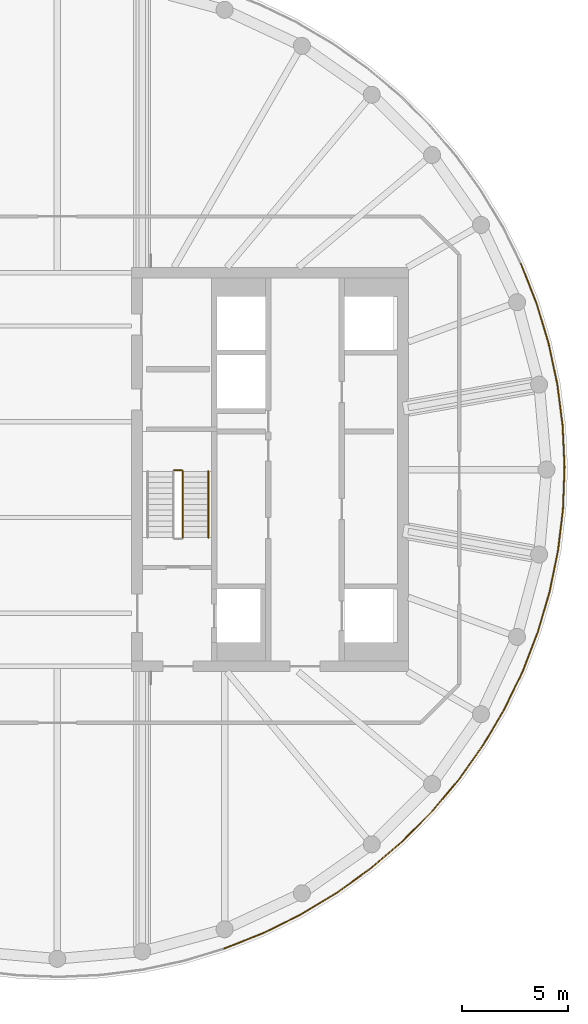
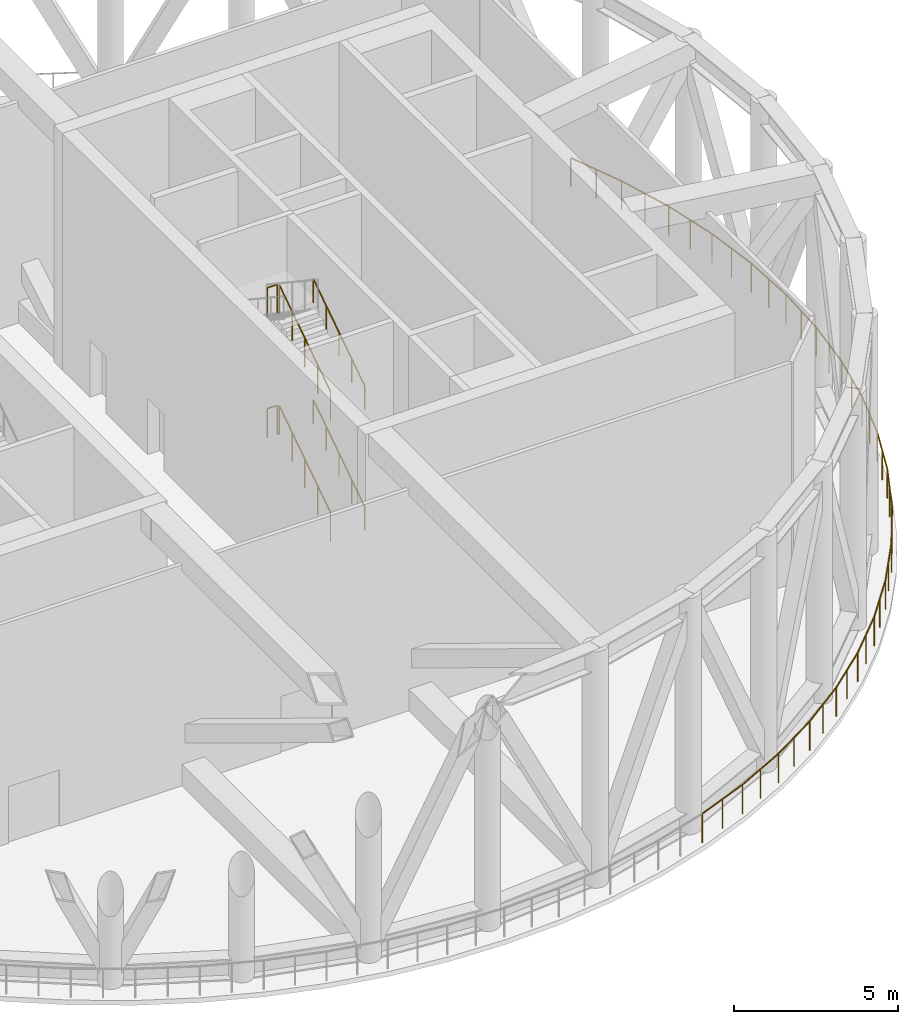
# One storey, part 8 of 10: 11 railings.
"""IFC4 building model written with IfcOpenShell, lengths in metres."""

from ifc_helpers import new_model, si_unit, direction, frame, origin, origin_2d, place, context, subcontext, project, spatial, circle, extrude, material, type_object, element, save


model = new_model("IFC4")

# Units and contexts
model_context = context("Model", 3, precision=1e-05, world=origin(), true_north=direction((0.0, 1.0)))
body_context = subcontext(model_context, "Body", "Model", "MODEL_VIEW")
ifc_project = project(units=[si_unit("LENGTHUNIT", "METRE"), si_unit("AREAUNIT", "SQUARE_METRE"), si_unit("VOLUMEUNIT", "CUBIC_METRE"), si_unit("PLANEANGLEUNIT", "RADIAN"), si_unit("MASSUNIT", "GRAM", prefix="KILO")], contexts=[model_context])

# Site, building, storey
site_placement = place(None, origin())
site = spatial("IfcSite", under=ifc_project, at=site_placement, CompositionType="ELEMENT")
building_placement = place(site_placement, origin())
building = spatial("IfcBuilding", under=site, at=building_placement, Name="Tamarind Cross Interchange Tower", CompositionType="ELEMENT")
storey_placement = place(building_placement, frame((0.0, 0.0, 278.39990234375)))
storey = spatial("IfcBuildingStorey", under=building, at=storey_placement, Name="L71", CompositionType="ELEMENT", Elevation=278.39990234375)

# Railings
ifc_material_1 = material(Name="Stainless steel and laminated glass", Category="steel")
railing_type_1 = type_object("IfcRailingType", Name="Balcony guard", PredefinedType="BALUSTRADE", material=ifc_material_1)
railing_1_placement = place(storey_placement, frame((7.839599609375, -22.520263671875, 0.0)))
element("IfcRailing", 1, at=railing_1_placement, inside=storey, type_object=railing_type_1, Name="Portal guard 01-09", PredefinedType="BALUSTRADE", context=body_context, shape_type="SweptSolid", body=[
    extrude(circle(Radius=0.02490234375, at=origin_2d()), frame((0.0, 0.0, 1.0751953125), z_axis=(0.930014881415, 0.367521863766, 0.0), x_axis=(-0.367521863766, 0.930014881415, 0.0)), (0.0, 0.0, 1.0), 1.970947265625),
    extrude(circle(Radius=0.02490234375, at=origin_2d()), frame((1.8330078125, 0.724365234375, 1.0751953125), z_axis=(0.896523242401, 0.442996699575, 0.0), x_axis=(-0.442996699575, 0.896523242401, 0.0)), (0.0, 0.0, 1.0), 1.970703125),
    extrude(circle(Radius=0.02490234375, at=origin_2d()), frame((3.599853515625, 1.597412109375, 1.0751953125), z_axis=(0.85679264522, 0.515661093256, 0.0), x_axis=(-0.515661093256, 0.85679264522, 0.0)), (0.0, 0.0, 1.0), 1.970947265625),
    extrude(circle(Radius=0.02490234375, at=origin_2d()), frame((5.28857421875, 2.61376953125, 1.0751953125), z_axis=(0.811358091189, 0.584549440049, 0.0), x_axis=(-0.584549440049, 0.811358091189, 0.0)), (0.0, 0.0, 1.0), 1.970947265625),
    extrude(circle(Radius=0.02001953125, at=origin_2d()), origin(), (0.0, 0.0, 1.0), 1.050048828125),
    extrude(circle(Radius=0.02001953125, at=origin_2d()), frame((0.91650390625, 0.3623046875, 0.0)), (0.0, 0.0, 1.0), 1.050048828125),
    extrude(circle(Radius=0.02001953125, at=origin_2d()), frame((1.8330078125, 0.724365234375, 0.0)), (0.0, 0.0, 1.0), 1.050048828125),
    extrude(circle(Radius=0.02001953125, at=origin_2d()), frame((2.71630859375, 1.160888671875, 0.0)), (0.0, 0.0, 1.0), 1.050048828125),
    extrude(circle(Radius=0.02001953125, at=origin_2d()), frame((3.599853515625, 1.597412109375, 0.0)), (0.0, 0.0, 1.0), 1.050048828125),
    extrude(circle(Radius=0.02001953125, at=origin_2d()), frame((4.4443359375, 2.10546875, 0.0)), (0.0, 0.0, 1.0), 1.050048828125),
    extrude(circle(Radius=0.02001953125, at=origin_2d()), frame((5.28857421875, 2.61376953125, 0.0)), (0.0, 0.0, 1.0), 1.050048828125),
    extrude(circle(Radius=0.02001953125, at=origin_2d()), frame((6.088134765625, 3.18994140625, 0.0)), (0.0, 0.0, 1.0), 1.050048828125),
    extrude(circle(Radius=0.02001953125, at=origin_2d()), frame((6.8876953125, 3.765869140625, 0.0)), (0.0, 0.0, 1.0), 1.050048828125),
])
railing_2_placement = place(storey_placement, frame((14.727294921875, -18.75439453125, 0.0)))
element("IfcRailing", 2, at=railing_2_placement, inside=storey, type_object=railing_type_1, Name="Portal guard 01-10", PredefinedType="BALUSTRADE", context=body_context, shape_type="SweptSolid", body=[
    extrude(circle(Radius=0.02490234375, at=origin_2d()), frame((0.0, 0.0, 1.0751953125), z_axis=(0.760313766228, 0.649555984411, 0.0), x_axis=(-0.649555984411, 0.760313766228, 0.0)), (0.0, 0.0, 1.0), 1.970703125),
    extrude(circle(Radius=0.02490234375, at=origin_2d()), frame((1.498291015625, 1.280029296875, 1.0751953125), z_axis=(0.704065503743, 0.710135033947, 0.0), x_axis=(-0.710135033947, 0.704065503743, 0.0)), (0.0, 0.0, 1.0), 1.970947265625),
    extrude(circle(Radius=0.02490234375, at=origin_2d()), frame((2.885986328125, 2.6796875, 1.0751953125), z_axis=(0.642994528242, 0.765870770203, 0.0), x_axis=(-0.765870770203, 0.642994528242, 0.0)), (0.0, 0.0, 1.0), 1.970947265625),
    extrude(circle(Radius=0.02490234375, at=origin_2d()), frame((4.1533203125, 4.189208984375, 1.0751953125), z_axis=(0.577529164002, 0.816370053791, 0.0), x_axis=(-0.816370053791, 0.577529164002, 0.0)), (0.0, 0.0, 1.0), 1.970703125),
    extrude(circle(Radius=0.02001953125, at=origin_2d()), origin(), (0.0, 0.0, 1.0), 1.050048828125),
    extrude(circle(Radius=0.02001953125, at=origin_2d()), frame((0.7490234375, 0.64013671875, 0.0)), (0.0, 0.0, 1.0), 1.050048828125),
    extrude(circle(Radius=0.02001953125, at=origin_2d()), frame((1.498291015625, 1.280029296875, 0.0)), (0.0, 0.0, 1.0), 1.050048828125),
    extrude(circle(Radius=0.02001953125, at=origin_2d()), frame((2.192138671875, 1.97998046875, 0.0)), (0.0, 0.0, 1.0), 1.050048828125),
    extrude(circle(Radius=0.02001953125, at=origin_2d()), frame((2.885986328125, 2.6796875, 0.0)), (0.0, 0.0, 1.0), 1.050048828125),
    extrude(circle(Radius=0.02001953125, at=origin_2d()), frame((3.51953125, 3.4345703125, 0.0)), (0.0, 0.0, 1.0), 1.050048828125),
    extrude(circle(Radius=0.02001953125, at=origin_2d()), frame((4.1533203125, 4.189208984375, 0.0)), (0.0, 0.0, 1.0), 1.050048828125),
    extrude(circle(Radius=0.02001953125, at=origin_2d()), frame((4.722412109375, 4.99365234375, 0.0)), (0.0, 0.0, 1.0), 1.050048828125),
    extrude(circle(Radius=0.02001953125, at=origin_2d()), frame((5.29150390625, 5.798095703125, 0.0)), (0.0, 0.0, 1.0), 1.050048828125),
])
railing_3_placement = place(storey_placement, frame((20.018798828125, -12.956298828125, 0.0)))
element("IfcRailing", 3, at=railing_3_placement, inside=storey, type_object=railing_type_1, Name="Portal guard 01-11", PredefinedType="BALUSTRADE", context=body_context, shape_type="SweptSolid", body=[
    extrude(circle(Radius=0.02490234375, at=origin_2d()), frame((0.0, 0.0, 1.0751953125), z_axis=(0.508270152501, 0.861197684667, 0.0), x_axis=(-0.861197684667, 0.508270152501, 0.0)), (0.0, 0.0, 1.0), 1.970703125),
    extrude(circle(Radius=0.02490234375, at=origin_2d()), frame((1.001708984375, 1.697265625, 1.0751953125), z_axis=(0.435282458777, 0.900293941489, 0.0), x_axis=(-0.900293941489, 0.435282458777, 0.0)), (0.0, 0.0, 1.0), 1.970947265625),
    extrude(circle(Radius=0.02490234375, at=origin_2d()), frame((1.859619140625, 3.4716796875, 1.0751953125), z_axis=(0.359485381692, 0.933150716846, 0.0), x_axis=(-0.933150716846, 0.359485381692, 0.0)), (0.0, 0.0, 1.0), 1.970947265625),
    extrude(circle(Radius=0.02490234375, at=origin_2d()), frame((2.568115234375, 5.310791015625, 1.0751953125), z_axis=(0.28119372955, 0.959651023269, 0.0), x_axis=(-0.959651023269, 0.28119372955, 0.0)), (0.0, 0.0, 1.0), 1.970947265625),
    extrude(circle(Radius=0.02001953125, at=origin_2d()), origin(), (0.0, 0.0, 1.0), 1.050048828125),
    extrude(circle(Radius=0.02001953125, at=origin_2d()), frame((0.5009765625, 0.8486328125, 0.0)), (0.0, 0.0, 1.0), 1.050048828125),
    extrude(circle(Radius=0.02001953125, at=origin_2d()), frame((1.001708984375, 1.697265625, 0.0)), (0.0, 0.0, 1.0), 1.050048828125),
    extrude(circle(Radius=0.02001953125, at=origin_2d()), frame((1.4306640625, 2.58447265625, 0.0)), (0.0, 0.0, 1.0), 1.050048828125),
    extrude(circle(Radius=0.02001953125, at=origin_2d()), frame((1.859619140625, 3.4716796875, 0.0)), (0.0, 0.0, 1.0), 1.050048828125),
    extrude(circle(Radius=0.02001953125, at=origin_2d()), frame((2.2138671875, 4.39111328125, 0.0)), (0.0, 0.0, 1.0), 1.050048828125),
    extrude(circle(Radius=0.02001953125, at=origin_2d()), frame((2.568115234375, 5.310791015625, 0.0)), (0.0, 0.0, 1.0), 1.050048828125),
    extrude(circle(Radius=0.02001953125, at=origin_2d()), frame((2.84521484375, 6.25634765625, 0.0)), (0.0, 0.0, 1.0), 1.050048828125),
    extrude(circle(Radius=0.02001953125, at=origin_2d()), frame((3.122314453125, 7.2021484375, 0.0)), (0.0, 0.0, 1.0), 1.050048828125),
])
railing_4_placement = place(storey_placement, frame((23.14111328125, -5.754150390625, 0.0)))
element("IfcRailing", 4, at=railing_4_placement, inside=storey, type_object=railing_type_1, Name="Portal guard 01-12", PredefinedType="BALUSTRADE", context=body_context, shape_type="SweptSolid", body=[
    extrude(circle(Radius=0.02490234375, at=origin_2d()), frame((0.0, 0.0, 1.0751953125), z_axis=(0.201069123681, 0.979577055418, 0.0), x_axis=(-0.979577055418, 0.201069123681, 0.0)), (0.0, 0.0, 1.0), 1.970703125),
    extrude(circle(Radius=0.02490234375, at=origin_2d()), frame((0.396240234375, 1.930419921875, 1.0751953125), z_axis=(0.119413868936, 0.992844563819, 0.0), x_axis=(-0.992844563819, 0.119413868936, 0.0)), (0.0, 0.0, 1.0), 1.970947265625),
    extrude(circle(Radius=0.02490234375, at=origin_2d()), frame((0.631591796875, 3.88720703125, 1.0751953125), z_axis=(0.037039150955, 0.999313815224, 0.0), x_axis=(-0.999313815224, 0.037039150955, 0.0)), (0.0, 0.0, 1.0), 1.970947265625),
    extrude(circle(Radius=0.02490234375, at=origin_2d()), frame((0.70458984375, 5.856689453125, 1.0751953125), z_axis=(-0.045705440836, 0.998954960285, 0.0), x_axis=(-0.998954960285, -0.045705440836, 0.0)), (0.0, 0.0, 1.0), 1.970947265625),
    extrude(circle(Radius=0.02001953125, at=origin_2d()), origin(), (0.0, 0.0, 1.0), 1.050048828125),
    extrude(circle(Radius=0.02001953125, at=origin_2d()), frame((0.1982421875, 0.96533203125, 0.0)), (0.0, 0.0, 1.0), 1.050048828125),
    extrude(circle(Radius=0.02001953125, at=origin_2d()), frame((0.396240234375, 1.930419921875, 0.0)), (0.0, 0.0, 1.0), 1.050048828125),
    extrude(circle(Radius=0.02001953125, at=origin_2d()), frame((0.513916015625, 2.90869140625, 0.0)), (0.0, 0.0, 1.0), 1.050048828125),
    extrude(circle(Radius=0.02001953125, at=origin_2d()), frame((0.631591796875, 3.88720703125, 0.0)), (0.0, 0.0, 1.0), 1.050048828125),
    extrude(circle(Radius=0.02001953125, at=origin_2d()), frame((0.66796875, 4.8720703125, 0.0)), (0.0, 0.0, 1.0), 1.050048828125),
    extrude(circle(Radius=0.02001953125, at=origin_2d()), frame((0.70458984375, 5.856689453125, 0.0)), (0.0, 0.0, 1.0), 1.050048828125),
    extrude(circle(Radius=0.02001953125, at=origin_2d()), frame((0.65966796875, 6.84130859375, 0.0)), (0.0, 0.0, 1.0), 1.050048828125),
    extrude(circle(Radius=0.02001953125, at=origin_2d()), frame((0.614501953125, 7.82568359375, 0.0)), (0.0, 0.0, 1.0), 1.050048828125),
])
railing_5_placement = place(storey_placement, frame((23.755615234375, 2.071533203125, 0.0)))
element("IfcRailing", 5, at=railing_5_placement, inside=storey, type_object=railing_type_1, Name="Portal guard 01-13", PredefinedType="BALUSTRADE", context=body_context, shape_type="SweptSolid", body=[
    extrude(circle(Radius=0.02490234375, at=origin_2d()), frame((0.0, 0.0, 1.0751953125), z_axis=(-0.127967406963, 0.991778373809, 0.0), x_axis=(-0.991778373809, -0.127967406963, 0.0)), (0.0, 0.0, 1.0), 1.970703125),
    extrude(circle(Radius=0.02490234375, at=origin_2d()), frame((-0.252197265625, 1.95458984375, 1.0751953125), z_axis=(-0.209368335496, 0.977836847379, 0.0), x_axis=(-0.977836847379, -0.209368335496, 0.0)), (0.0, 0.0, 1.0), 1.970703125),
    extrude(circle(Radius=0.02490234375, at=origin_2d()), frame((-0.664794921875, 3.881591796875, 1.0751953125), z_axis=(-0.289495081486, 0.957179501345, 0.0), x_axis=(-0.957179501345, -0.289495081486, 0.0)), (0.0, 0.0, 1.0), 1.970947265625),
    extrude(circle(Radius=0.02490234375, at=origin_2d()), frame((-1.2353515625, 5.76806640625, 1.0751953125), z_axis=(-0.367521863766, 0.930014881415, 0.0), x_axis=(-0.930014881415, -0.367521863766, 0.0)), (0.0, 0.0, 1.0), 1.970947265625),
    extrude(circle(Radius=0.02001953125, at=origin_2d()), origin(), (0.0, 0.0, 1.0), 1.050048828125),
    extrude(circle(Radius=0.02001953125, at=origin_2d()), frame((-0.1259765625, 0.977294921875, 0.0)), (0.0, 0.0, 1.0), 1.050048828125),
    extrude(circle(Radius=0.02001953125, at=origin_2d()), frame((-0.252197265625, 1.95458984375, 0.0)), (0.0, 0.0, 1.0), 1.050048828125),
    extrude(circle(Radius=0.02001953125, at=origin_2d()), frame((-0.45849609375, 2.91796875, 0.0)), (0.0, 0.0, 1.0), 1.050048828125),
    extrude(circle(Radius=0.02001953125, at=origin_2d()), frame((-0.664794921875, 3.881591796875, 0.0)), (0.0, 0.0, 1.0), 1.050048828125),
    extrude(circle(Radius=0.02001953125, at=origin_2d()), frame((-0.9501953125, 4.82470703125, 0.0)), (0.0, 0.0, 1.0), 1.050048828125),
    extrude(circle(Radius=0.02001953125, at=origin_2d()), frame((-1.2353515625, 5.76806640625, 0.0)), (0.0, 0.0, 1.0), 1.050048828125),
    extrude(circle(Radius=0.02001953125, at=origin_2d()), frame((-1.59765625, 6.6845703125, 0.0)), (0.0, 0.0, 1.0), 1.050048828125),
    extrude(circle(Radius=0.02001953125, at=origin_2d()), frame((-1.959716796875, 7.60107421875, 0.0)), (0.0, 0.0, 1.0), 1.050048828125),
])
ifc_material_2 = material(Name="Stair guard")
railing_type_2 = type_object("IfcRailingType", Name="Stair guard", PredefinedType="GUARDRAIL", material=ifc_material_2)
railing_6_placement = place(storey_placement, frame((5.89990234375, -3.199951171875, 0.173095703125)))
element("IfcRailing", 6, at=railing_6_placement, inside=storey, type_object=railing_type_2, Name="L71 ST2 stair guard 1", PredefinedType="GUARDRAIL", context=body_context, shape_type="SweptSolid", body=[
    extrude(circle(Radius=0.02392578125, at=origin_2d()), frame((0.0, 0.0, 1.076171875), z_axis=(0.0, 0.832420903958, 0.554143879018), x_axis=(-1.0, 0.0, 0.0)), (0.0, 0.0, 1.0), 3.748046875),
    extrude(circle(Radius=0.02099609375, at=origin_2d()), origin(), (0.0, 0.0, 1.0), 1.052001953125),
    extrude(circle(Radius=0.02099609375, at=origin_2d()), frame((0.0, 0.780029296875, 0.519287109375)), (0.0, 0.0, 1.0), 1.052001953125),
    extrude(circle(Radius=0.02099609375, at=origin_2d()), frame((0.0, 1.56005859375, 1.03857421875)), (0.0, 0.0, 1.0), 1.052001953125),
    extrude(circle(Radius=0.02099609375, at=origin_2d()), frame((0.0, 2.33984375, 1.5576171875)), (0.0, 0.0, 1.0), 1.052001953125),
    extrude(circle(Radius=0.02099609375, at=origin_2d()), frame((0.0, 3.119873046875, 2.076904296875)), (0.0, 0.0, 1.0), 1.052001953125),
])
railing_7_placement = place(storey_placement, frame((5.85009765625, -0.030029296875, 2.25)))
element("IfcRailing", 7, at=railing_7_placement, inside=storey, type_object=railing_type_2, Name="L71 ST2 stair guard 2", PredefinedType="GUARDRAIL", context=body_context, shape_type="SweptSolid", body=[
    extrude(circle(Radius=0.02392578125, at=origin_2d()), frame((0.0, 0.0, 1.076171875), z_axis=(-1.0, 0.0, 0.0), x_axis=(0.0, -1.0, 0.0)), (0.0, 0.0, 1.0), 0.35009765625),
    extrude(circle(Radius=0.02099609375, at=origin_2d()), origin(), (0.0, 0.0, 1.0), 1.052001953125),
    extrude(circle(Radius=0.02099609375, at=origin_2d()), frame((-0.35009765625, 0.0, 0.0)), (0.0, 0.0, 1.0), 1.052001953125),
])
railing_8_placement = place(storey_placement, frame((5.89990234375, -3.199951171875, 4.673095703125)))
element("IfcRailing", 8, at=railing_8_placement, inside=storey, type_object=railing_type_2, Name="L71 ST2 stair guard 5", PredefinedType="GUARDRAIL", context=body_context, shape_type="SweptSolid", body=[
    extrude(circle(Radius=0.02392578125, at=origin_2d()), frame((0.0, 0.0, 1.076171875), z_axis=(0.0, 0.832420903958, 0.554143879018), x_axis=(-1.0, 0.0, 0.0)), (0.0, 0.0, 1.0), 3.748046875),
    extrude(circle(Radius=0.02099609375, at=origin_2d()), origin(), (0.0, 0.0, 1.0), 1.052001953125),
    extrude(circle(Radius=0.02099609375, at=origin_2d()), frame((0.0, 0.780029296875, 0.519287109375)), (0.0, 0.0, 1.0), 1.052001953125),
    extrude(circle(Radius=0.02099609375, at=origin_2d()), frame((0.0, 1.56005859375, 1.03857421875)), (0.0, 0.0, 1.0), 1.052001953125),
    extrude(circle(Radius=0.02099609375, at=origin_2d()), frame((0.0, 2.33984375, 1.5576171875)), (0.0, 0.0, 1.0), 1.052001953125),
    extrude(circle(Radius=0.02099609375, at=origin_2d()), frame((0.0, 3.119873046875, 2.076904296875)), (0.0, 0.0, 1.0), 1.052001953125),
])
railing_9_placement = place(storey_placement, frame((5.85009765625, -0.030029296875, 6.75)))
element("IfcRailing", 9, at=railing_9_placement, inside=storey, type_object=railing_type_2, Name="L71 ST2 stair guard 6", PredefinedType="GUARDRAIL", context=body_context, shape_type="SweptSolid", body=[
    extrude(circle(Radius=0.02392578125, at=origin_2d()), frame((0.0, 0.0, 1.076171875), z_axis=(-1.0, 0.0, 0.0), x_axis=(0.0, -1.0, 0.0)), (0.0, 0.0, 1.0), 0.35009765625),
    extrude(circle(Radius=0.02099609375, at=origin_2d()), origin(), (0.0, 0.0, 1.0), 1.052001953125),
    extrude(circle(Radius=0.02099609375, at=origin_2d()), frame((-0.35009765625, 0.0, 0.0)), (0.0, 0.0, 1.0), 1.052001953125),
])
ifc_material_3 = material(Name="Stair handrail")
railing_type_3 = type_object("IfcRailingType", Name="Stair handrail", PredefinedType="HANDRAIL", material=ifc_material_3)
for number, where, name in (
    (10, (7.10009765625, -3.199951171875, 0.173095703125), "L71 ST2 stair handrail 1"),
    (11, (7.10009765625, -3.199951171875, 4.673095703125), "L71 ST2 stair handrail 3"),
):
    element("IfcRailing", number, at=place(storey_placement, frame(where)), inside=storey, type_object=railing_type_3, Name=name, PredefinedType="HANDRAIL", context=body_context, shape_type="SweptSolid", body=[
        extrude(circle(Radius=0.02392578125, at=origin_2d()), frame((0.0, 0.0, 0.8759765625), z_axis=(0.0, 0.832420903958, 0.554143879018), x_axis=(-1.0, 0.0, 0.0)), (0.0, 0.0, 1.0), 3.748046875),
        extrude(circle(Radius=0.02099609375, at=origin_2d()), origin(), (0.0, 0.0, 1.0), 0.851806640625),
        extrude(circle(Radius=0.02099609375, at=origin_2d()), frame((0.0, 0.780029296875, 0.519287109375)), (0.0, 0.0, 1.0), 0.851806640625),
        extrude(circle(Radius=0.02099609375, at=origin_2d()), frame((0.0, 1.56005859375, 1.03857421875)), (0.0, 0.0, 1.0), 0.851806640625),
        extrude(circle(Radius=0.02099609375, at=origin_2d()), frame((0.0, 2.33984375, 1.5576171875)), (0.0, 0.0, 1.0), 0.851806640625),
        extrude(circle(Radius=0.02099609375, at=origin_2d()), frame((0.0, 3.119873046875, 2.076904296875)), (0.0, 0.0, 1.0), 0.851806640625),
    ])

save(model, "model.ifc")
